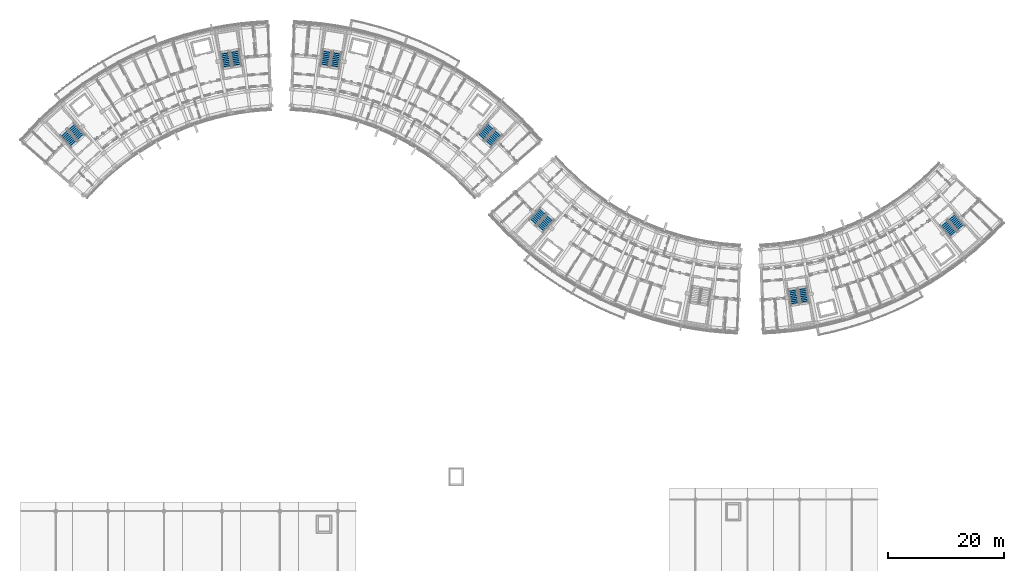
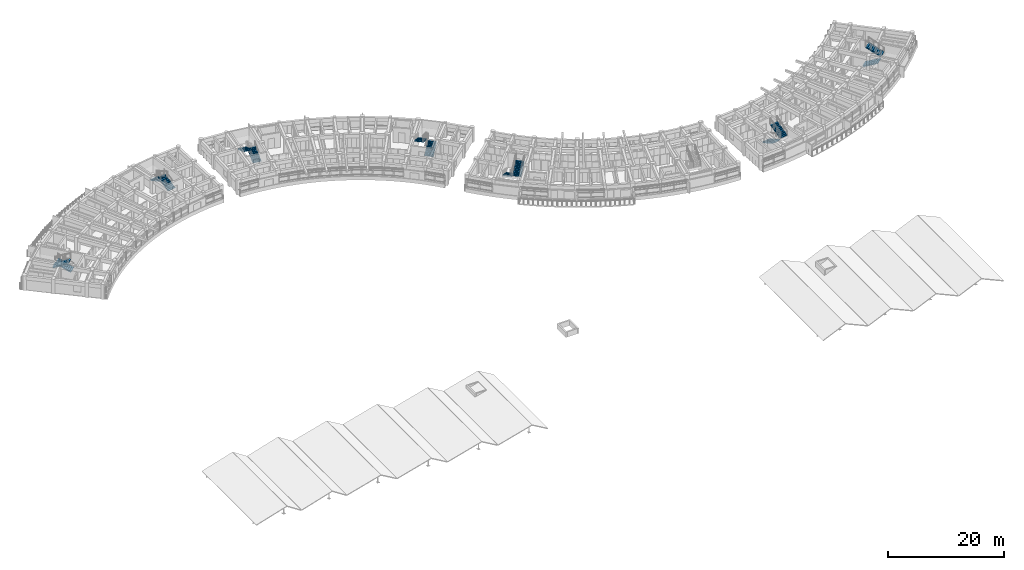
# One storey, part 56 of 70: 14 stair flights, 7 elements without a shape of their own.
"""IFC4 building model written with IfcOpenShell, lengths in metres."""

from ifc_helpers import new_model, si_unit, direction, frame, origin, place, context, subcontext, project, spatial, polyline, outline, extrude, material, type_object, element, aggregate, save


model = new_model("IFC4")

# Units and contexts
model_context = context("Model", 3, precision=1e-05, world=origin(), true_north=direction((0.0, 1.0)))
body_context = subcontext(model_context, "Body", "Model", "MODEL_VIEW")
ifc_project = project(units=[si_unit("LENGTHUNIT", "METRE"), si_unit("AREAUNIT", "SQUARE_METRE"), si_unit("VOLUMEUNIT", "CUBIC_METRE"), si_unit("PLANEANGLEUNIT", "RADIAN"), si_unit("MASSUNIT", "GRAM", prefix="KILO")], contexts=[model_context])

# Site, building, storey
site_placement = place(None, origin())
site = spatial("IfcSite", under=ifc_project, at=site_placement, CompositionType="ELEMENT")
building_placement = place(site_placement, origin())
building = spatial("IfcBuilding", under=site, at=building_placement, Name="Zimvara Arc Housing Community", CompositionType="ELEMENT")
storey_placement = place(building_placement, frame((0.0, 0.0, 8.10009765625)))
storey = spatial("IfcBuildingStorey", under=building, at=storey_placement, Name="L02", CompositionType="ELEMENT", Elevation=8.10009765625)

# Stair, stair flights
ifc_material_1 = material(Name="Concrete C35/45", Category="concrete")
stair_type_1 = type_object("IfcStairType", Name="STR-DL-310-310", PredefinedType="HALF_TURN_STAIR", material=ifc_material_1)
stair_1_placement = place(storey_placement, origin())
stair_1 = element("IfcStair", 1, at=stair_1_placement, inside=storey, type_object=stair_type_1, Name="L02 Block D Exit Stair 1", PredefinedType="HALF_TURN_STAIR")
ifc_material_2 = material(Name="Concrete C35/45", Category="concrete")
stair_flight_type_1 = type_object("IfcStairFlightType", Name="STF-DL-310-310", PredefinedType="STRAIGHT", material=ifc_material_2)
stair_flight_1_placement = place(storey_placement, frame((133.282470703125, 57.964111328125, 0.0), z_axis=(0.0, 0.0, 1.0), x_axis=(0.155572484907, -0.987824479318, 0.0)))
stair_flight_1 = element("IfcStairFlight", 2, at=stair_flight_1_placement, type_object=stair_flight_type_1, Name="ST-D1 flight 1", NumberOfRisers=10, NumberOfTreads=9, PredefinedType="STRAIGHT", RiserHeight=0.155, TreadLength=0.31, context=body_context, shape_type="SweptSolid", body=[
    extrude(outline(polyline([(0.0, 0.0), (0.0, 0.155029296875), (0.31005859375, 0.155029296875), (0.31005859375, 0.31005859375), (0.6201171875, 0.31005859375), (0.6201171875, 0.465087890625), (0.929931640625, 0.465087890625), (0.929931640625, 0.6201171875), (1.239990234375, 0.6201171875), (1.239990234375, 0.77490234375), (1.550048828125, 0.77490234375), (1.550048828125, 0.929931640625), (1.860107421875, 0.929931640625), (1.860107421875, 1.0849609375), (2.169921875, 1.0849609375), (2.169921875, 1.239990234375), (2.47998046875, 1.239990234375), (2.47998046875, 1.39501953125), (2.7900390625, 1.39501953125), (2.7900390625, 1.550048828125), (2.7900390625, 1.227294921875), (0.335205078125, 0.0), (0.0, 0.0)])), frame((0.0, 0.780029296875, 0.0), z_axis=(0.0, -1.0, 0.0), x_axis=(1.0, 0.0, 0.0)), (0.0, 0.0, 1.0), 1.56005859375),
])
stair_flight_2_placement = place(storey_placement, frame((135.41552734375, 55.475830078125, 1.5498046875), z_axis=(0.0, 0.0, 1.0), x_axis=(-0.155572484907, 0.987824479318, 0.0)))
stair_flight_2 = element("IfcStairFlight", 3, at=stair_flight_2_placement, type_object=stair_flight_type_1, Name="ST-D1 flight 2", NumberOfRisers=10, NumberOfTreads=9, PredefinedType="STRAIGHT", RiserHeight=0.155, TreadLength=0.31, context=body_context, shape_type="SweptSolid", body=[
    extrude(outline(polyline([(0.0, 0.0), (0.0, 0.155029296875), (0.31005859375, 0.155029296875), (0.31005859375, 0.31005859375), (0.6201171875, 0.31005859375), (0.6201171875, 0.465087890625), (0.929931640625, 0.465087890625), (0.929931640625, 0.6201171875), (1.239990234375, 0.6201171875), (1.239990234375, 0.77490234375), (1.550048828125, 0.77490234375), (1.550048828125, 0.929931640625), (1.860107421875, 0.929931640625), (1.860107421875, 1.0849609375), (2.169921875, 1.0849609375), (2.169921875, 1.239990234375), (2.47998046875, 1.239990234375), (2.47998046875, 1.39501953125), (2.7900390625, 1.39501953125), (2.7900390625, 1.550048828125), (2.7900390625, 1.227294921875), (0.335205078125, 0.0), (0.0, 0.0)])), frame((0.0, 0.780029296875, 0.0), z_axis=(0.0, -1.0, 0.0), x_axis=(1.0, 0.0, 0.0)), (0.0, 0.0, 1.0), 1.56005859375),
])
aggregate(stair_1, [stair_flight_1, stair_flight_2])

ifc_material_3 = material(Name="Concrete C35/45", Category="concrete")
stair_type_2 = type_object("IfcStairType", Name="STR-DL-312-310", PredefinedType="HALF_TURN_STAIR", material=ifc_material_3)
stair_2_placement = place(storey_placement, origin())
stair_2 = element("IfcStair", 4, at=stair_2_placement, inside=storey, type_object=stair_type_2, Name="L02 Block A Exit Stair 1", PredefinedType="HALF_TURN_STAIR")
ifc_material_4 = material(Name="Concrete C35/45", Category="concrete")
stair_flight_type_2 = type_object("IfcStairFlightType", Name="STF-DL-312-310", PredefinedType="STRAIGHT", material=ifc_material_4)
stair_flight_3_placement = place(storey_placement, frame((10.590576171875, 84.0283203125, 0.0), z_axis=(0.0, 0.0, 1.0), x_axis=(-0.668871159118, 0.743378350842, 0.0)))
stair_flight_3 = element("IfcStairFlight", 5, at=stair_flight_3_placement, type_object=stair_flight_type_2, Name="ST-A1 flight 1", NumberOfRisers=10, NumberOfTreads=9, PredefinedType="STRAIGHT", RiserHeight=0.155, TreadLength=0.312, context=body_context, shape_type="SweptSolid", body=[
    extrude(outline(polyline([(0.0, 0.0), (0.0, 0.155029296875), (0.31201171875, 0.155029296875), (0.31201171875, 0.31005859375), (0.6240234375, 0.31005859375), (0.6240234375, 0.465087890625), (0.93603515625, 0.465087890625), (0.93603515625, 0.6201171875), (1.248046875, 0.6201171875), (1.248046875, 0.77490234375), (1.56005859375, 0.77490234375), (1.56005859375, 0.929931640625), (1.8720703125, 0.929931640625), (1.8720703125, 1.0849609375), (2.18408203125, 1.0849609375), (2.18408203125, 1.239990234375), (2.49609375, 1.239990234375), (2.49609375, 1.39501953125), (2.80810546875, 1.39501953125), (2.80810546875, 1.550048828125), (2.80810546875, 1.2275390625), (0.3369140625, 0.0), (0.0, 0.0)])), frame((0.0, 0.780029296875, 0.0), z_axis=(0.0, -1.0, 0.0), x_axis=(1.0, 0.0, 0.0)), (0.0, 0.0, 1.0), 1.56005859375),
])
stair_flight_4_placement = place(storey_placement, frame((7.43359375, 84.965087890625, 1.5498046875), z_axis=(0.0, 0.0, 1.0), x_axis=(0.668871159118, -0.743378350842, 0.0)))
stair_flight_4 = element("IfcStairFlight", 6, at=stair_flight_4_placement, type_object=stair_flight_type_2, Name="ST-A1 flight 2", NumberOfRisers=10, NumberOfTreads=9, PredefinedType="STRAIGHT", RiserHeight=0.155, TreadLength=0.312, context=body_context, shape_type="SweptSolid", body=[
    extrude(outline(polyline([(0.0, 0.0), (0.0, 0.155029296875), (0.31201171875, 0.155029296875), (0.31201171875, 0.31005859375), (0.6240234375, 0.31005859375), (0.6240234375, 0.465087890625), (0.93603515625, 0.465087890625), (0.93603515625, 0.6201171875), (1.248046875, 0.6201171875), (1.248046875, 0.77490234375), (1.56005859375, 0.77490234375), (1.56005859375, 0.929931640625), (1.8720703125, 0.929931640625), (1.8720703125, 1.0849609375), (2.18408203125, 1.0849609375), (2.18408203125, 1.239990234375), (2.49609375, 1.239990234375), (2.49609375, 1.39501953125), (2.80810546875, 1.39501953125), (2.80810546875, 1.550048828125), (2.80810546875, 1.2275390625), (0.3369140625, 0.0), (0.0, 0.0)])), frame((0.0, 0.780029296875, 0.0), z_axis=(0.0, -1.0, 0.0), x_axis=(1.0, 0.0, 0.0)), (0.0, 0.0, 1.0), 1.56005859375),
])
aggregate(stair_2, [stair_flight_3, stair_flight_4])

stair_3_placement = place(storey_placement, origin())
stair_3 = element("IfcStair", 7, at=stair_3_placement, inside=storey, type_object=stair_type_2, Name="L02 Block D Exit Stair 2", PredefinedType="HALF_TURN_STAIR")
stair_flight_5_placement = place(storey_placement, frame((159.32177734375, 69.427001953125, 0.0), z_axis=(0.0, 0.0, 1.0), x_axis=(0.648784221735, -0.760972426325, 0.0)))
stair_flight_5 = element("IfcStairFlight", 8, at=stair_flight_5_placement, type_object=stair_flight_type_2, Name="ST-D2 flight 1", NumberOfRisers=10, NumberOfTreads=9, PredefinedType="STRAIGHT", RiserHeight=0.155, TreadLength=0.312, context=body_context, shape_type="SweptSolid", body=[
    extrude(outline(polyline([(0.0, 0.0), (0.0, 0.155029296875), (0.31201171875, 0.155029296875), (0.31201171875, 0.31005859375), (0.6240234375, 0.31005859375), (0.6240234375, 0.465087890625), (0.93603515625, 0.465087890625), (0.93603515625, 0.6201171875), (1.248046875, 0.6201171875), (1.248046875, 0.77490234375), (1.56005859375, 0.77490234375), (1.56005859375, 0.929931640625), (1.8720703125, 0.929931640625), (1.8720703125, 1.0849609375), (2.18408203125, 1.0849609375), (2.18408203125, 1.239990234375), (2.49609375, 1.239990234375), (2.49609375, 1.39501953125), (2.80810546875, 1.39501953125), (2.80810546875, 1.550048828125), (2.80810546875, 1.2275390625), (0.3369140625, 0.0), (0.0, 0.0)])), frame((0.0, 0.780029296875, 0.0), z_axis=(0.0, -1.0, 0.0), x_axis=(1.0, 0.0, 0.0)), (0.0, 0.0, 1.0), 1.56005859375),
])
stair_flight_6_placement = place(storey_placement, frame((162.45263671875, 68.40625, 1.5498046875), z_axis=(0.0, 0.0, 1.0), x_axis=(-0.648784221735, 0.760972426325, 0.0)))
stair_flight_6 = element("IfcStairFlight", 9, at=stair_flight_6_placement, type_object=stair_flight_type_2, Name="ST-D2 flight 2", NumberOfRisers=10, NumberOfTreads=9, PredefinedType="STRAIGHT", RiserHeight=0.155, TreadLength=0.312, context=body_context, shape_type="SweptSolid", body=[
    extrude(outline(polyline([(0.0, 0.0), (0.0, 0.155029296875), (0.31201171875, 0.155029296875), (0.31201171875, 0.31005859375), (0.6240234375, 0.31005859375), (0.6240234375, 0.465087890625), (0.93603515625, 0.465087890625), (0.93603515625, 0.6201171875), (1.248046875, 0.6201171875), (1.248046875, 0.77490234375), (1.56005859375, 0.77490234375), (1.56005859375, 0.929931640625), (1.8720703125, 0.929931640625), (1.8720703125, 1.0849609375), (2.18408203125, 1.0849609375), (2.18408203125, 1.239990234375), (2.49609375, 1.239990234375), (2.49609375, 1.39501953125), (2.80810546875, 1.39501953125), (2.80810546875, 1.550048828125), (2.80810546875, 1.2275390625), (0.3369140625, 0.0), (0.0, 0.0)])), frame((0.0, 0.780029296875, 0.0), z_axis=(0.0, -1.0, 0.0), x_axis=(1.0, 0.0, 0.0)), (0.0, 0.0, 1.0), 1.56005859375),
])
aggregate(stair_3, [stair_flight_5, stair_flight_6])

ifc_material_5 = material(Name="Concrete C35/45", Category="concrete")
stair_type_3 = type_object("IfcStairType", Name="STR-DL-315-310", PredefinedType="HALF_TURN_STAIR", material=ifc_material_5)
stair_4_placement = place(storey_placement, origin())
stair_4 = element("IfcStair", 10, at=stair_4_placement, inside=storey, type_object=stair_type_3, Name="L02 Block A Exit Stair 2", PredefinedType="HALF_TURN_STAIR")
ifc_material_6 = material(Name="Concrete C35/45", Category="concrete")
stair_flight_type_3 = type_object("IfcStairFlightType", Name="STF-DL-315-310", PredefinedType="STRAIGHT", material=ifc_material_6)
stair_flight_7_placement = place(storey_placement, frame((37.453125, 96.36083984375, 0.0), z_axis=(0.0, 0.0, 1.0), x_axis=(-0.160225753504, 0.987080395872, 0.0)))
stair_flight_7 = element("IfcStairFlight", 11, at=stair_flight_7_placement, type_object=stair_flight_type_3, Name="ST-A2 flight 1", NumberOfRisers=10, NumberOfTreads=9, PredefinedType="STRAIGHT", RiserHeight=0.155, TreadLength=0.315, context=body_context, shape_type="SweptSolid", body=[
    extrude(outline(polyline([(0.0, 0.0), (0.0, 0.155029296875), (0.31494140625, 0.155029296875), (0.31494140625, 0.31005859375), (0.6298828125, 0.31005859375), (0.6298828125, 0.465087890625), (0.945068359375, 0.465087890625), (0.945068359375, 0.6201171875), (1.260009765625, 0.6201171875), (1.260009765625, 0.77490234375), (1.574951171875, 0.77490234375), (1.574951171875, 0.929931640625), (1.889892578125, 0.929931640625), (1.889892578125, 1.0849609375), (2.205078125, 1.0849609375), (2.205078125, 1.239990234375), (2.52001953125, 1.239990234375), (2.52001953125, 1.39501953125), (2.8349609375, 1.39501953125), (2.8349609375, 1.550048828125), (2.8349609375, 1.22802734375), (0.339599609375, 0.0), (0.0, 0.0)])), frame((0.0, 0.780029296875, 0.0), z_axis=(0.0, -1.0, 0.0), x_axis=(1.0, 0.0, 0.0)), (0.0, 0.0, 1.0), 1.56005859375),
])
stair_flight_8_placement = place(storey_placement, frame((35.301025390625, 98.883544921875, 1.5498046875), z_axis=(0.0, 0.0, 1.0), x_axis=(0.160225753504, -0.987080395872, 0.0)))
stair_flight_8 = element("IfcStairFlight", 12, at=stair_flight_8_placement, type_object=stair_flight_type_3, Name="ST-A2 flight 2", NumberOfRisers=10, NumberOfTreads=9, PredefinedType="STRAIGHT", RiserHeight=0.155, TreadLength=0.315, context=body_context, shape_type="SweptSolid", body=[
    extrude(outline(polyline([(0.0, 0.0), (0.0, 0.155029296875), (0.31494140625, 0.155029296875), (0.31494140625, 0.31005859375), (0.6298828125, 0.31005859375), (0.6298828125, 0.465087890625), (0.945068359375, 0.465087890625), (0.945068359375, 0.6201171875), (1.260009765625, 0.6201171875), (1.260009765625, 0.77490234375), (1.574951171875, 0.77490234375), (1.574951171875, 0.929931640625), (1.889892578125, 0.929931640625), (1.889892578125, 1.0849609375), (2.205078125, 1.0849609375), (2.205078125, 1.239990234375), (2.52001953125, 1.239990234375), (2.52001953125, 1.39501953125), (2.8349609375, 1.39501953125), (2.8349609375, 1.550048828125), (2.8349609375, 1.22802734375), (0.339599609375, 0.0), (0.0, 0.0)])), frame((0.0, 0.780029296875, 0.0), z_axis=(0.0, -1.0, 0.0), x_axis=(1.0, 0.0, 0.0)), (0.0, 0.0, 1.0), 1.56005859375),
])
aggregate(stair_4, [stair_flight_7, stair_flight_8])

stair_5_placement = place(storey_placement, origin())
stair_5 = element("IfcStair", 13, at=stair_5_placement, inside=storey, type_object=stair_type_3, Name="L02 Block B Exit Stair 1", PredefinedType="HALF_TURN_STAIR")
stair_flight_9_placement = place(storey_placement, frame((54.24462890625, 96.085205078125, 0.0), z_axis=(0.0, 0.0, 1.0), x_axis=(0.160225753504, 0.987080395872, 0.0)))
stair_flight_9 = element("IfcStairFlight", 14, at=stair_flight_9_placement, type_object=stair_flight_type_3, Name="ST-B1 flight 1", NumberOfRisers=10, NumberOfTreads=9, PredefinedType="STRAIGHT", RiserHeight=0.155, TreadLength=0.315, context=body_context, shape_type="SweptSolid", body=[
    extrude(outline(polyline([(0.0, 0.0), (0.0, 0.155029296875), (0.31494140625, 0.155029296875), (0.31494140625, 0.31005859375), (0.6298828125, 0.31005859375), (0.6298828125, 0.465087890625), (0.945068359375, 0.465087890625), (0.945068359375, 0.6201171875), (1.260009765625, 0.6201171875), (1.260009765625, 0.77490234375), (1.574951171875, 0.77490234375), (1.574951171875, 0.929931640625), (1.889892578125, 0.929931640625), (1.889892578125, 1.0849609375), (2.205078125, 1.0849609375), (2.205078125, 1.239990234375), (2.52001953125, 1.239990234375), (2.52001953125, 1.39501953125), (2.8349609375, 1.39501953125), (2.8349609375, 1.550048828125), (2.8349609375, 1.22802734375), (0.339599609375, 0.0), (0.0, 0.0)])), frame((0.0, 0.780029296875, 0.0), z_axis=(0.0, -1.0, 0.0), x_axis=(1.0, 0.0, 0.0)), (0.0, 0.0, 1.0), 1.56005859375),
])
stair_flight_10_placement = place(storey_placement, frame((53.001220703125, 99.1591796875, 1.5498046875), z_axis=(0.0, 0.0, 1.0), x_axis=(-0.160225753504, -0.987080395872, 0.0)))
stair_flight_10 = element("IfcStairFlight", 15, at=stair_flight_10_placement, type_object=stair_flight_type_3, Name="ST-B1 flight 2", NumberOfRisers=10, NumberOfTreads=9, PredefinedType="STRAIGHT", RiserHeight=0.155, TreadLength=0.315, context=body_context, shape_type="SweptSolid", body=[
    extrude(outline(polyline([(0.0, 0.0), (0.0, 0.155029296875), (0.31494140625, 0.155029296875), (0.31494140625, 0.31005859375), (0.6298828125, 0.31005859375), (0.6298828125, 0.465087890625), (0.945068359375, 0.465087890625), (0.945068359375, 0.6201171875), (1.260009765625, 0.6201171875), (1.260009765625, 0.77490234375), (1.574951171875, 0.77490234375), (1.574951171875, 0.929931640625), (1.889892578125, 0.929931640625), (1.889892578125, 1.0849609375), (2.205078125, 1.0849609375), (2.205078125, 1.239990234375), (2.52001953125, 1.239990234375), (2.52001953125, 1.39501953125), (2.8349609375, 1.39501953125), (2.8349609375, 1.550048828125), (2.8349609375, 1.22802734375), (0.339599609375, 0.0), (0.0, 0.0)])), frame((0.0, 0.780029296875, 0.0), z_axis=(0.0, -1.0, 0.0), x_axis=(1.0, 0.0, 0.0)), (0.0, 0.0, 1.0), 1.56005859375),
])
aggregate(stair_5, [stair_flight_9, stair_flight_10])

ifc_material_7 = material(Name="Concrete C35/45", Category="concrete")
stair_type_4 = type_object("IfcStairType", Name="STR-DL-318-310", PredefinedType="HALF_TURN_STAIR", material=ifc_material_7)
stair_6_placement = place(storey_placement, origin())
stair_6 = element("IfcStair", 16, at=stair_6_placement, inside=storey, type_object=stair_type_4, Name="L02 Block B Exit Stair 2", PredefinedType="HALF_TURN_STAIR")
ifc_material_8 = material(Name="Concrete C35/45", Category="concrete")
stair_flight_type_4 = type_object("IfcStairFlightType", Name="STF-DL-318-310", PredefinedType="STRAIGHT", material=ifc_material_8)
stair_flight_11_placement = place(storey_placement, frame((80.688232421875, 82.877685546875, 0.0), z_axis=(0.0, 0.0, 1.0), x_axis=(0.668871159118, 0.743378350842, 0.0)))
stair_flight_11 = element("IfcStairFlight", 17, at=stair_flight_11_placement, type_object=stair_flight_type_4, Name="ST-B2 flight 1", NumberOfRisers=10, NumberOfTreads=9, PredefinedType="STRAIGHT", RiserHeight=0.155, TreadLength=0.318, context=body_context, shape_type="SweptSolid", body=[
    extrude(outline(polyline([(0.0, 0.0), (0.0, 0.155029296875), (0.318115234375, 0.155029296875), (0.318115234375, 0.31005859375), (0.635986328125, 0.31005859375), (0.635986328125, 0.465087890625), (0.9541015625, 0.465087890625), (0.9541015625, 0.6201171875), (1.27197265625, 0.6201171875), (1.27197265625, 0.77490234375), (1.590087890625, 0.77490234375), (1.590087890625, 0.929931640625), (1.907958984375, 0.929931640625), (1.907958984375, 1.0849609375), (2.22607421875, 1.0849609375), (2.22607421875, 1.239990234375), (2.5439453125, 1.239990234375), (2.5439453125, 1.39501953125), (2.862060546875, 1.39501953125), (2.862060546875, 1.550048828125), (2.862060546875, 1.228271484375), (0.342041015625, 0.0), (0.0, 0.0)])), frame((0.0, 0.780029296875, 0.0), z_axis=(0.0, -1.0, 0.0), x_axis=(1.0, 0.0, 0.0)), (0.0, 0.0, 1.0), 1.56005859375),
])
stair_flight_12_placement = place(storey_placement, frame((81.323974609375, 86.15576171875, 1.5498046875), z_axis=(0.0, 0.0, 1.0), x_axis=(-0.668871159118, -0.743378350842, 0.0)))
stair_flight_12 = element("IfcStairFlight", 18, at=stair_flight_12_placement, type_object=stair_flight_type_4, Name="ST-B2 flight 2", NumberOfRisers=10, NumberOfTreads=9, PredefinedType="STRAIGHT", RiserHeight=0.155, TreadLength=0.318, context=body_context, shape_type="SweptSolid", body=[
    extrude(outline(polyline([(0.0, 0.0), (0.0, 0.155029296875), (0.318115234375, 0.155029296875), (0.318115234375, 0.31005859375), (0.635986328125, 0.31005859375), (0.635986328125, 0.465087890625), (0.9541015625, 0.465087890625), (0.9541015625, 0.6201171875), (1.27197265625, 0.6201171875), (1.27197265625, 0.77490234375), (1.590087890625, 0.77490234375), (1.590087890625, 0.929931640625), (1.907958984375, 0.929931640625), (1.907958984375, 1.0849609375), (2.22607421875, 1.0849609375), (2.22607421875, 1.239990234375), (2.5439453125, 1.239990234375), (2.5439453125, 1.39501953125), (2.862060546875, 1.39501953125), (2.862060546875, 1.550048828125), (2.862060546875, 1.228271484375), (0.342041015625, 0.0), (0.0, 0.0)])), frame((0.0, 0.780029296875, 0.0), z_axis=(0.0, -1.0, 0.0), x_axis=(1.0, 0.0, 0.0)), (0.0, 0.0, 1.0), 1.56005859375),
])
aggregate(stair_6, [stair_flight_11, stair_flight_12])

stair_7_placement = place(storey_placement, origin())
stair_7 = element("IfcStair", 19, at=stair_7_placement, inside=storey, type_object=stair_type_4, Name="L02 Block C Exit Stair 1", PredefinedType="HALF_TURN_STAIR")
stair_flight_13_placement = place(storey_placement, frame((90.291748046875, 71.482177734375, 0.0), z_axis=(0.0, 0.0, 1.0), x_axis=(-0.668871159118, -0.743378350842, 0.0)))
stair_flight_13 = element("IfcStairFlight", 20, at=stair_flight_13_placement, type_object=stair_flight_type_4, Name="ST-C1 flight 1", NumberOfRisers=10, NumberOfTreads=9, PredefinedType="STRAIGHT", RiserHeight=0.155, TreadLength=0.318, context=body_context, shape_type="SweptSolid", body=[
    extrude(outline(polyline([(0.0, 0.0), (0.0, 0.155029296875), (0.318115234375, 0.155029296875), (0.318115234375, 0.31005859375), (0.635986328125, 0.31005859375), (0.635986328125, 0.465087890625), (0.9541015625, 0.465087890625), (0.9541015625, 0.6201171875), (1.27197265625, 0.6201171875), (1.27197265625, 0.77490234375), (1.590087890625, 0.77490234375), (1.590087890625, 0.929931640625), (1.907958984375, 0.929931640625), (1.907958984375, 1.0849609375), (2.22607421875, 1.0849609375), (2.22607421875, 1.239990234375), (2.5439453125, 1.239990234375), (2.5439453125, 1.39501953125), (2.862060546875, 1.39501953125), (2.862060546875, 1.550048828125), (2.862060546875, 1.228271484375), (0.342041015625, 0.0), (0.0, 0.0)])), frame((0.0, 0.780029296875, 0.0), z_axis=(0.0, -1.0, 0.0), x_axis=(1.0, 0.0, 0.0)), (0.0, 0.0, 1.0), 1.56005859375),
])
stair_flight_14_placement = place(storey_placement, frame((89.65625, 68.2041015625, 1.5498046875), z_axis=(0.0, 0.0, 1.0), x_axis=(0.668871159118, 0.743378350842, 0.0)))
stair_flight_14 = element("IfcStairFlight", 21, at=stair_flight_14_placement, type_object=stair_flight_type_4, Name="ST-C1 flight 2", NumberOfRisers=10, NumberOfTreads=9, PredefinedType="STRAIGHT", RiserHeight=0.155, TreadLength=0.318, context=body_context, shape_type="SweptSolid", body=[
    extrude(outline(polyline([(0.0, 0.0), (0.0, 0.155029296875), (0.318115234375, 0.155029296875), (0.318115234375, 0.31005859375), (0.635986328125, 0.31005859375), (0.635986328125, 0.465087890625), (0.9541015625, 0.465087890625), (0.9541015625, 0.6201171875), (1.27197265625, 0.6201171875), (1.27197265625, 0.77490234375), (1.590087890625, 0.77490234375), (1.590087890625, 0.929931640625), (1.907958984375, 0.929931640625), (1.907958984375, 1.0849609375), (2.22607421875, 1.0849609375), (2.22607421875, 1.239990234375), (2.5439453125, 1.239990234375), (2.5439453125, 1.39501953125), (2.862060546875, 1.39501953125), (2.862060546875, 1.550048828125), (2.862060546875, 1.228271484375), (0.342041015625, 0.0), (0.0, 0.0)])), frame((0.0, 0.780029296875, 0.0), z_axis=(0.0, -1.0, 0.0), x_axis=(1.0, 0.0, 0.0)), (0.0, 0.0, 1.0), 1.56005859375),
])
aggregate(stair_7, [stair_flight_13, stair_flight_14])

save(model, "model.ifc")
